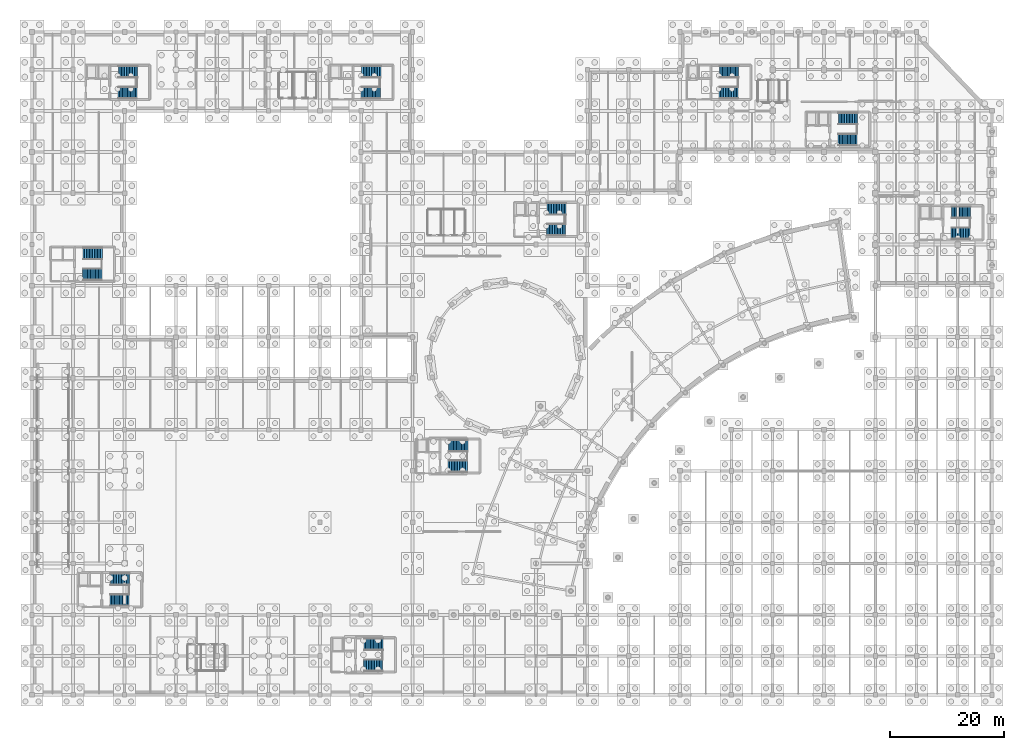
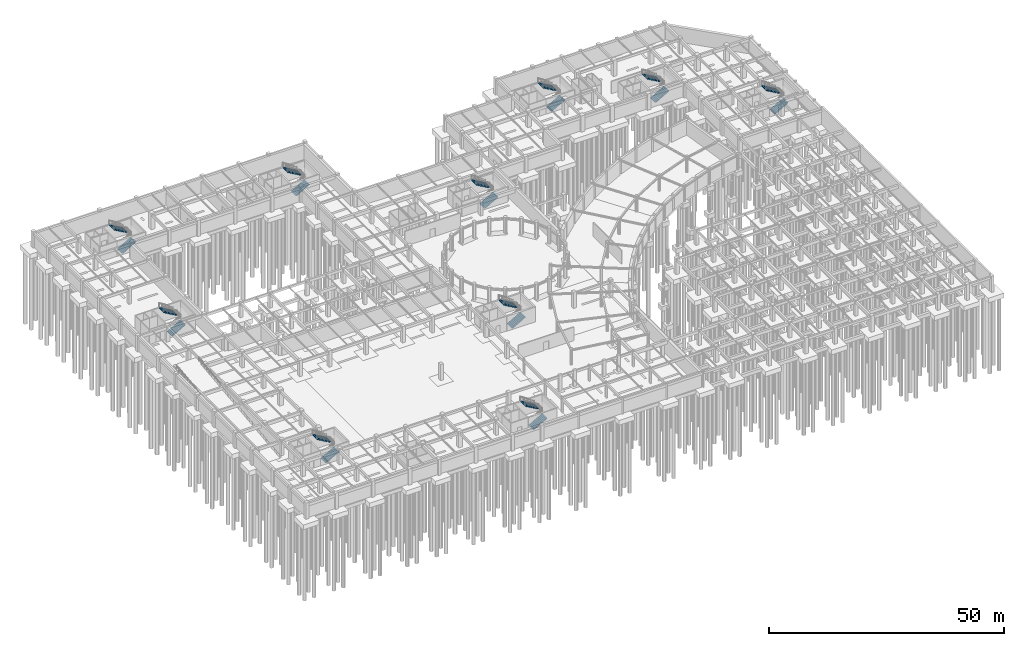
# One storey, part 38 of 42: 20 stair flights, 10 elements without a shape of their own.
"""IFC4 building model written with IfcOpenShell, lengths in metres."""

from ifc_helpers import new_model, si_unit, direction, frame, origin, place, context, subcontext, project, spatial, polyline, outline, extrude, material, type_object, element, aggregate, save


model = new_model("IFC4")

# Units and contexts
model_context = context("Model", 3, precision=1e-05, world=origin(), true_north=direction((0.0, 1.0)))
body_context = subcontext(model_context, "Body", "Model", "MODEL_VIEW")
ifc_project = project(units=[si_unit("LENGTHUNIT", "METRE"), si_unit("AREAUNIT", "SQUARE_METRE"), si_unit("VOLUMEUNIT", "CUBIC_METRE"), si_unit("PLANEANGLEUNIT", "RADIAN"), si_unit("MASSUNIT", "GRAM", prefix="KILO")], contexts=[model_context])

# Site, building, storey
site_placement = place(None, origin())
site = spatial("IfcSite", under=ifc_project, at=site_placement, CompositionType="ELEMENT")
building_placement = place(site_placement, origin())
building = spatial("IfcBuilding", under=site, at=building_placement, Name="Clarverna Civic Hall", CompositionType="ELEMENT")
storey_placement = place(building_placement, frame((0.0, 0.0, -4.199951171875)))
storey = spatial("IfcBuildingStorey", under=building, at=storey_placement, Name="B01", CompositionType="ELEMENT", Elevation=-4.199951171875)

# Stair, stair flights
ifc_material = material(Name="Concrete C30/37", Category="concrete")
stair_type_1 = type_object("IfcStairType", Name="ST-H1", PredefinedType="HALF_TURN_STAIR", material=ifc_material)
stair_1_placement = place(storey_placement, origin())
stair_1 = element("IfcStair", 1, at=stair_1_placement, inside=storey, type_object=stair_type_1, Name="ST-H1:B01:0001", PredefinedType="HALF_TURN_STAIR")
stair_flight_type_1 = type_object("IfcStairFlightType", Name="SF-02", PredefinedType="STRAIGHT", material=ifc_material)
stair_flight_1_placement = place(storey_placement, frame((141.010009765625, 97.179931640625, 0.0), z_axis=(0.0, 0.0, 1.0), x_axis=(1.0, 0.0, 0.0)))
stair_flight_1 = element("IfcStairFlight", 2, at=stair_flight_1_placement, type_object=stair_flight_type_1, Name="SF-02:B01:0001", NumberOfRisers=13, NumberOfTreads=12, PredefinedType="STRAIGHT", RiserHeight=0.161538, TreadLength=0.28, context=body_context, shape_type="SweptSolid", body=[
    extrude(outline(polyline([(0.0, 0.0), (0.0, 0.16162109375), (0.280029296875, 0.16162109375), (0.280029296875, 0.322998046875), (0.56005859375, 0.322998046875), (0.56005859375, 0.484619140625), (0.840087890625, 0.484619140625), (0.840087890625, 0.646240234375), (1.1201171875, 0.646240234375), (1.1201171875, 0.8076171875), (1.39990234375, 0.8076171875), (1.39990234375, 0.96923828125), (1.679931640625, 0.96923828125), (1.679931640625, 1.130859375), (1.9599609375, 1.130859375), (1.9599609375, 1.292236328125), (2.239990234375, 1.292236328125), (2.239990234375, 1.453857421875), (2.52001953125, 1.453857421875), (2.52001953125, 1.615478515625), (2.800048828125, 1.615478515625), (2.800048828125, 1.77685546875), (3.080078125, 1.77685546875), (3.080078125, 1.9384765625), (3.360107421875, 1.9384765625), (3.360107421875, 2.10009765625), (3.360107421875, 1.730712890625), (0.360107421875, 0.0), (0.0, 0.0)])), frame((0.0, 1.02001953125, 0.0), z_axis=(0.0, -1.0, 0.0), x_axis=(1.0, 0.0, 0.0)), (0.0, 0.0, 1.0), 2.0400390625),
])
stair_flight_2_placement = place(storey_placement, frame((144.4599609375, 100.820068359375, 2.099853515625), z_axis=(0.0, 0.0, 1.0), x_axis=(-1.0, 0.0, 0.0)))
stair_flight_2 = element("IfcStairFlight", 3, at=stair_flight_2_placement, type_object=stair_flight_type_1, Name="SF-02:B01:0002", NumberOfRisers=13, NumberOfTreads=12, PredefinedType="STRAIGHT", RiserHeight=0.161538, TreadLength=0.28, context=body_context, shape_type="SweptSolid", body=[
    extrude(outline(polyline([(0.0, 0.0), (0.0, 0.16162109375), (0.280029296875, 0.16162109375), (0.280029296875, 0.322998046875), (0.56005859375, 0.322998046875), (0.56005859375, 0.484619140625), (0.840087890625, 0.484619140625), (0.840087890625, 0.646240234375), (1.1201171875, 0.646240234375), (1.1201171875, 0.8076171875), (1.39990234375, 0.8076171875), (1.39990234375, 0.96923828125), (1.679931640625, 0.96923828125), (1.679931640625, 1.130859375), (1.9599609375, 1.130859375), (1.9599609375, 1.292236328125), (2.239990234375, 1.292236328125), (2.239990234375, 1.453857421875), (2.52001953125, 1.453857421875), (2.52001953125, 1.615478515625), (2.800048828125, 1.615478515625), (2.800048828125, 1.77685546875), (3.080078125, 1.77685546875), (3.080078125, 1.9384765625), (3.360107421875, 1.9384765625), (3.360107421875, 2.10009765625), (3.360107421875, 1.730712890625), (0.360107421875, 0.0), (0.0, 0.0)])), frame((0.0, 1.02001953125, 0.0), z_axis=(0.0, -1.0, 0.0), x_axis=(1.0, 0.0, 0.0)), (0.0, 0.0, 1.0), 2.0400390625),
])
aggregate(stair_1, [stair_flight_1, stair_flight_2])

stair_2_placement = place(storey_placement, origin())
stair_2 = element("IfcStair", 4, at=stair_2_placement, inside=storey, type_object=stair_type_1, Name="ST-H1:B01:0007", PredefinedType="HALF_TURN_STAIR")
stair_flight_3_placement = place(storey_placement, frame((160.81005859375, 80.780029296875, 0.0), z_axis=(0.0, 0.0, 1.0), x_axis=(1.0, 0.0, 0.0)))
stair_flight_3 = element("IfcStairFlight", 5, at=stair_flight_3_placement, type_object=stair_flight_type_1, Name="SF-02:B01:0013", NumberOfRisers=13, NumberOfTreads=12, PredefinedType="STRAIGHT", RiserHeight=0.161538, TreadLength=0.28, context=body_context, shape_type="SweptSolid", body=[
    extrude(outline(polyline([(0.0, 0.0), (0.0, 0.16162109375), (0.280029296875, 0.16162109375), (0.280029296875, 0.322998046875), (0.56005859375, 0.322998046875), (0.56005859375, 0.484619140625), (0.840087890625, 0.484619140625), (0.840087890625, 0.646240234375), (1.1201171875, 0.646240234375), (1.1201171875, 0.8076171875), (1.39990234375, 0.8076171875), (1.39990234375, 0.96923828125), (1.679931640625, 0.96923828125), (1.679931640625, 1.130859375), (1.9599609375, 1.130859375), (1.9599609375, 1.292236328125), (2.239990234375, 1.292236328125), (2.239990234375, 1.453857421875), (2.52001953125, 1.453857421875), (2.52001953125, 1.615478515625), (2.800048828125, 1.615478515625), (2.800048828125, 1.77685546875), (3.080078125, 1.77685546875), (3.080078125, 1.9384765625), (3.360107421875, 1.9384765625), (3.360107421875, 2.10009765625), (3.360107421875, 1.730712890625), (0.360107421875, 0.0), (0.0, 0.0)])), frame((0.0, 1.02001953125, 0.0), z_axis=(0.0, -1.0, 0.0), x_axis=(1.0, 0.0, 0.0)), (0.0, 0.0, 1.0), 2.0400390625),
])
stair_flight_4_placement = place(storey_placement, frame((164.260009765625, 84.419921875, 2.099853515625), z_axis=(0.0, 0.0, 1.0), x_axis=(-1.0, 0.0, 0.0)))
stair_flight_4 = element("IfcStairFlight", 6, at=stair_flight_4_placement, type_object=stair_flight_type_1, Name="SF-02:B01:0014", NumberOfRisers=13, NumberOfTreads=12, PredefinedType="STRAIGHT", RiserHeight=0.161538, TreadLength=0.28, context=body_context, shape_type="SweptSolid", body=[
    extrude(outline(polyline([(0.0, 0.0), (0.0, 0.16162109375), (0.280029296875, 0.16162109375), (0.280029296875, 0.322998046875), (0.56005859375, 0.322998046875), (0.56005859375, 0.484619140625), (0.840087890625, 0.484619140625), (0.840087890625, 0.646240234375), (1.1201171875, 0.646240234375), (1.1201171875, 0.8076171875), (1.39990234375, 0.8076171875), (1.39990234375, 0.96923828125), (1.679931640625, 0.96923828125), (1.679931640625, 1.130859375), (1.9599609375, 1.130859375), (1.9599609375, 1.292236328125), (2.239990234375, 1.292236328125), (2.239990234375, 1.453857421875), (2.52001953125, 1.453857421875), (2.52001953125, 1.615478515625), (2.800048828125, 1.615478515625), (2.800048828125, 1.77685546875), (3.080078125, 1.77685546875), (3.080078125, 1.9384765625), (3.360107421875, 1.9384765625), (3.360107421875, 2.10009765625), (3.360107421875, 1.730712890625), (0.360107421875, 0.0), (0.0, 0.0)])), frame((0.0, 1.02001953125, 0.0), z_axis=(0.0, -1.0, 0.0), x_axis=(1.0, 0.0, 0.0)), (0.0, 0.0, 1.0), 2.0400390625),
])
aggregate(stair_2, [stair_flight_3, stair_flight_4])

stair_3_placement = place(storey_placement, origin())
stair_3 = element("IfcStair", 7, at=stair_3_placement, inside=storey, type_object=stair_type_1, Name="ST-H1:B01:0014", PredefinedType="HALF_TURN_STAIR")
stair_flight_5_placement = place(storey_placement, frame((15.010009765625, 105.3798828125, 0.0), z_axis=(0.0, 0.0, 1.0), x_axis=(1.0, 0.0, 0.0)))
stair_flight_5 = element("IfcStairFlight", 8, at=stair_flight_5_placement, type_object=stair_flight_type_1, Name="SF-02:B01:0025", NumberOfRisers=13, NumberOfTreads=12, PredefinedType="STRAIGHT", RiserHeight=0.161538, TreadLength=0.28, context=body_context, shape_type="SweptSolid", body=[
    extrude(outline(polyline([(0.0, 0.0), (0.0, 0.16162109375), (0.280029296875, 0.16162109375), (0.280029296875, 0.322998046875), (0.56005859375, 0.322998046875), (0.56005859375, 0.484619140625), (0.840087890625, 0.484619140625), (0.840087890625, 0.646240234375), (1.1201171875, 0.646240234375), (1.1201171875, 0.8076171875), (1.39990234375, 0.8076171875), (1.39990234375, 0.96923828125), (1.679931640625, 0.96923828125), (1.679931640625, 1.130859375), (1.9599609375, 1.130859375), (1.9599609375, 1.292236328125), (2.239990234375, 1.292236328125), (2.239990234375, 1.453857421875), (2.52001953125, 1.453857421875), (2.52001953125, 1.615478515625), (2.800048828125, 1.615478515625), (2.800048828125, 1.77685546875), (3.080078125, 1.77685546875), (3.080078125, 1.9384765625), (3.360107421875, 1.9384765625), (3.360107421875, 2.10009765625), (3.360107421875, 1.730712890625), (0.360107421875, 0.0), (0.0, 0.0)])), frame((0.0, 1.02001953125, 0.0), z_axis=(0.0, -1.0, 0.0), x_axis=(1.0, 0.0, 0.0)), (0.0, 0.0, 1.0), 2.0400390625),
])
stair_flight_6_placement = place(storey_placement, frame((18.4599609375, 109.02001953125, 2.099853515625), z_axis=(0.0, 0.0, 1.0), x_axis=(-1.0, 0.0, 0.0)))
stair_flight_6 = element("IfcStairFlight", 9, at=stair_flight_6_placement, type_object=stair_flight_type_1, Name="SF-02:B01:0026", NumberOfRisers=13, NumberOfTreads=12, PredefinedType="STRAIGHT", RiserHeight=0.161538, TreadLength=0.28, context=body_context, shape_type="SweptSolid", body=[
    extrude(outline(polyline([(0.0, 0.0), (0.0, 0.16162109375), (0.280029296875, 0.16162109375), (0.280029296875, 0.322998046875), (0.56005859375, 0.322998046875), (0.56005859375, 0.484619140625), (0.840087890625, 0.484619140625), (0.840087890625, 0.646240234375), (1.1201171875, 0.646240234375), (1.1201171875, 0.8076171875), (1.39990234375, 0.8076171875), (1.39990234375, 0.96923828125), (1.679931640625, 0.96923828125), (1.679931640625, 1.130859375), (1.9599609375, 1.130859375), (1.9599609375, 1.292236328125), (2.239990234375, 1.292236328125), (2.239990234375, 1.453857421875), (2.52001953125, 1.453857421875), (2.52001953125, 1.615478515625), (2.800048828125, 1.615478515625), (2.800048828125, 1.77685546875), (3.080078125, 1.77685546875), (3.080078125, 1.9384765625), (3.360107421875, 1.9384765625), (3.360107421875, 2.10009765625), (3.360107421875, 1.730712890625), (0.360107421875, 0.0), (0.0, 0.0)])), frame((0.0, 1.02001953125, 0.0), z_axis=(0.0, -1.0, 0.0), x_axis=(1.0, 0.0, 0.0)), (0.0, 0.0, 1.0), 2.0400390625),
])
aggregate(stair_3, [stair_flight_5, stair_flight_6])

stair_type_2 = type_object("IfcStairType", Name="ST-H2", PredefinedType="HALF_TURN_STAIR", material=ifc_material)
stair_4_placement = place(storey_placement, origin())
stair_4 = element("IfcStair", 10, at=stair_4_placement, inside=storey, type_object=stair_type_2, Name="ST-H2:B01:0004", PredefinedType="HALF_TURN_STAIR")
stair_flight_7_placement = place(storey_placement, frame((58.010009765625, 5.179931640625, 0.0), z_axis=(0.0, 0.0, 1.0), x_axis=(1.0, 0.0, 0.0)))
stair_flight_7 = element("IfcStairFlight", 11, at=stair_flight_7_placement, type_object=stair_flight_type_1, Name="SF-02:B01:0031", NumberOfRisers=13, NumberOfTreads=12, PredefinedType="STRAIGHT", RiserHeight=0.161538, TreadLength=0.28, context=body_context, shape_type="SweptSolid", body=[
    extrude(outline(polyline([(0.0, 0.0), (0.0, 0.16162109375), (0.280029296875, 0.16162109375), (0.280029296875, 0.322998046875), (0.56005859375, 0.322998046875), (0.56005859375, 0.484619140625), (0.840087890625, 0.484619140625), (0.840087890625, 0.646240234375), (1.1201171875, 0.646240234375), (1.1201171875, 0.8076171875), (1.39990234375, 0.8076171875), (1.39990234375, 0.96923828125), (1.679931640625, 0.96923828125), (1.679931640625, 1.130859375), (1.9599609375, 1.130859375), (1.9599609375, 1.292236328125), (2.239990234375, 1.292236328125), (2.239990234375, 1.453857421875), (2.52001953125, 1.453857421875), (2.52001953125, 1.615478515625), (2.800048828125, 1.615478515625), (2.800048828125, 1.77685546875), (3.080078125, 1.77685546875), (3.080078125, 1.9384765625), (3.360107421875, 1.9384765625), (3.360107421875, 2.10009765625), (3.360107421875, 1.730712890625), (0.360107421875, 0.0), (0.0, 0.0)])), frame((0.0, 1.02001953125, 0.0), z_axis=(0.0, -1.0, 0.0), x_axis=(1.0, 0.0, 0.0)), (0.0, 0.0, 1.0), 2.0400390625),
])
stair_flight_8_placement = place(storey_placement, frame((61.4599609375, 8.820068359375, 2.099853515625), z_axis=(0.0, 0.0, 1.0), x_axis=(-1.0, 0.0, 0.0)))
stair_flight_8 = element("IfcStairFlight", 12, at=stair_flight_8_placement, type_object=stair_flight_type_1, Name="SF-02:B01:0032", NumberOfRisers=13, NumberOfTreads=12, PredefinedType="STRAIGHT", RiserHeight=0.161538, TreadLength=0.28, context=body_context, shape_type="SweptSolid", body=[
    extrude(outline(polyline([(0.0, 0.0), (0.0, 0.16162109375), (0.280029296875, 0.16162109375), (0.280029296875, 0.322998046875), (0.56005859375, 0.322998046875), (0.56005859375, 0.484619140625), (0.840087890625, 0.484619140625), (0.840087890625, 0.646240234375), (1.1201171875, 0.646240234375), (1.1201171875, 0.8076171875), (1.39990234375, 0.8076171875), (1.39990234375, 0.96923828125), (1.679931640625, 0.96923828125), (1.679931640625, 1.130859375), (1.9599609375, 1.130859375), (1.9599609375, 1.292236328125), (2.239990234375, 1.292236328125), (2.239990234375, 1.453857421875), (2.52001953125, 1.453857421875), (2.52001953125, 1.615478515625), (2.800048828125, 1.615478515625), (2.800048828125, 1.77685546875), (3.080078125, 1.77685546875), (3.080078125, 1.9384765625), (3.360107421875, 1.9384765625), (3.360107421875, 2.10009765625), (3.360107421875, 1.730712890625), (0.360107421875, 0.0), (0.0, 0.0)])), frame((0.0, 1.02001953125, 0.0), z_axis=(0.0, -1.0, 0.0), x_axis=(1.0, 0.0, 0.0)), (0.0, 0.0, 1.0), 2.0400390625),
])
aggregate(stair_4, [stair_flight_7, stair_flight_8])

stair_5_placement = place(storey_placement, origin())
stair_5 = element("IfcStair", 13, at=stair_5_placement, inside=storey, type_object=stair_type_1, Name="ST-H1:B01:0017", PredefinedType="HALF_TURN_STAIR")
stair_flight_9_placement = place(storey_placement, frame((13.610107421875, 16.580078125, 0.0), z_axis=(0.0, 0.0, 1.0), x_axis=(1.0, 0.0, 0.0)))
stair_flight_9 = element("IfcStairFlight", 14, at=stair_flight_9_placement, type_object=stair_flight_type_1, Name="SF-02:B01:0035", NumberOfRisers=13, NumberOfTreads=12, PredefinedType="STRAIGHT", RiserHeight=0.161538, TreadLength=0.28, context=body_context, shape_type="SweptSolid", body=[
    extrude(outline(polyline([(0.0, 0.0), (0.0, 0.16162109375), (0.280029296875, 0.16162109375), (0.280029296875, 0.322998046875), (0.56005859375, 0.322998046875), (0.56005859375, 0.484619140625), (0.840087890625, 0.484619140625), (0.840087890625, 0.646240234375), (1.1201171875, 0.646240234375), (1.1201171875, 0.8076171875), (1.39990234375, 0.8076171875), (1.39990234375, 0.96923828125), (1.679931640625, 0.96923828125), (1.679931640625, 1.130859375), (1.9599609375, 1.130859375), (1.9599609375, 1.292236328125), (2.239990234375, 1.292236328125), (2.239990234375, 1.453857421875), (2.52001953125, 1.453857421875), (2.52001953125, 1.615478515625), (2.800048828125, 1.615478515625), (2.800048828125, 1.77685546875), (3.080078125, 1.77685546875), (3.080078125, 1.9384765625), (3.360107421875, 1.9384765625), (3.360107421875, 2.10009765625), (3.360107421875, 1.730712890625), (0.360107421875, 0.0), (0.0, 0.0)])), frame((0.0, 1.02001953125, 0.0), z_axis=(0.0, -1.0, 0.0), x_axis=(1.0, 0.0, 0.0)), (0.0, 0.0, 1.0), 2.0400390625),
])
stair_flight_10_placement = place(storey_placement, frame((17.06005859375, 20.219970703125, 2.099853515625), z_axis=(0.0, 0.0, 1.0), x_axis=(-1.0, 0.0, 0.0)))
stair_flight_10 = element("IfcStairFlight", 15, at=stair_flight_10_placement, type_object=stair_flight_type_1, Name="SF-02:B01:0036", NumberOfRisers=13, NumberOfTreads=12, PredefinedType="STRAIGHT", RiserHeight=0.161538, TreadLength=0.28, context=body_context, shape_type="SweptSolid", body=[
    extrude(outline(polyline([(0.0, 0.0), (0.0, 0.16162109375), (0.280029296875, 0.16162109375), (0.280029296875, 0.322998046875), (0.56005859375, 0.322998046875), (0.56005859375, 0.484619140625), (0.840087890625, 0.484619140625), (0.840087890625, 0.646240234375), (1.1201171875, 0.646240234375), (1.1201171875, 0.8076171875), (1.39990234375, 0.8076171875), (1.39990234375, 0.96923828125), (1.679931640625, 0.96923828125), (1.679931640625, 1.130859375), (1.9599609375, 1.130859375), (1.9599609375, 1.292236328125), (2.239990234375, 1.292236328125), (2.239990234375, 1.453857421875), (2.52001953125, 1.453857421875), (2.52001953125, 1.615478515625), (2.800048828125, 1.615478515625), (2.800048828125, 1.77685546875), (3.080078125, 1.77685546875), (3.080078125, 1.9384765625), (3.360107421875, 1.9384765625), (3.360107421875, 2.10009765625), (3.360107421875, 1.730712890625), (0.360107421875, 0.0), (0.0, 0.0)])), frame((0.0, 1.02001953125, 0.0), z_axis=(0.0, -1.0, 0.0), x_axis=(1.0, 0.0, 0.0)), (0.0, 0.0, 1.0), 2.0400390625),
])
aggregate(stair_5, [stair_flight_9, stair_flight_10])

stair_6_placement = place(storey_placement, origin())
stair_6 = element("IfcStair", 16, at=stair_6_placement, inside=storey, type_object=stair_type_1, Name="ST-H1:B01:0019", PredefinedType="HALF_TURN_STAIR")
stair_flight_11_placement = place(storey_placement, frame((120.2099609375, 105.3798828125, 0.0), z_axis=(0.0, 0.0, 1.0), x_axis=(1.0, 0.0, 0.0)))
stair_flight_11 = element("IfcStairFlight", 17, at=stair_flight_11_placement, type_object=stair_flight_type_1, Name="SF-02:B01:0039", NumberOfRisers=13, NumberOfTreads=12, PredefinedType="STRAIGHT", RiserHeight=0.161538, TreadLength=0.28, context=body_context, shape_type="SweptSolid", body=[
    extrude(outline(polyline([(0.0, 0.0), (0.0, 0.16162109375), (0.280029296875, 0.16162109375), (0.280029296875, 0.322998046875), (0.56005859375, 0.322998046875), (0.56005859375, 0.484619140625), (0.840087890625, 0.484619140625), (0.840087890625, 0.646240234375), (1.1201171875, 0.646240234375), (1.1201171875, 0.8076171875), (1.39990234375, 0.8076171875), (1.39990234375, 0.96923828125), (1.679931640625, 0.96923828125), (1.679931640625, 1.130859375), (1.9599609375, 1.130859375), (1.9599609375, 1.292236328125), (2.239990234375, 1.292236328125), (2.239990234375, 1.453857421875), (2.52001953125, 1.453857421875), (2.52001953125, 1.615478515625), (2.800048828125, 1.615478515625), (2.800048828125, 1.77685546875), (3.080078125, 1.77685546875), (3.080078125, 1.9384765625), (3.360107421875, 1.9384765625), (3.360107421875, 2.10009765625), (3.360107421875, 1.730712890625), (0.360107421875, 0.0), (0.0, 0.0)])), frame((0.0, 1.02001953125, 0.0), z_axis=(0.0, -1.0, 0.0), x_axis=(1.0, 0.0, 0.0)), (0.0, 0.0, 1.0), 2.0400390625),
])
stair_flight_12_placement = place(storey_placement, frame((123.659912109375, 109.02001953125, 2.099853515625), z_axis=(0.0, 0.0, 1.0), x_axis=(-1.0, 0.0, 0.0)))
stair_flight_12 = element("IfcStairFlight", 18, at=stair_flight_12_placement, type_object=stair_flight_type_1, Name="SF-02:B01:0040", NumberOfRisers=13, NumberOfTreads=12, PredefinedType="STRAIGHT", RiserHeight=0.161538, TreadLength=0.28, context=body_context, shape_type="SweptSolid", body=[
    extrude(outline(polyline([(0.0, 0.0), (0.0, 0.16162109375), (0.280029296875, 0.16162109375), (0.280029296875, 0.322998046875), (0.56005859375, 0.322998046875), (0.56005859375, 0.484619140625), (0.840087890625, 0.484619140625), (0.840087890625, 0.646240234375), (1.1201171875, 0.646240234375), (1.1201171875, 0.8076171875), (1.39990234375, 0.8076171875), (1.39990234375, 0.96923828125), (1.679931640625, 0.96923828125), (1.679931640625, 1.130859375), (1.9599609375, 1.130859375), (1.9599609375, 1.292236328125), (2.239990234375, 1.292236328125), (2.239990234375, 1.453857421875), (2.52001953125, 1.453857421875), (2.52001953125, 1.615478515625), (2.800048828125, 1.615478515625), (2.800048828125, 1.77685546875), (3.080078125, 1.77685546875), (3.080078125, 1.9384765625), (3.360107421875, 1.9384765625), (3.360107421875, 2.10009765625), (3.360107421875, 1.730712890625), (0.360107421875, 0.0), (0.0, 0.0)])), frame((0.0, 1.02001953125, 0.0), z_axis=(0.0, -1.0, 0.0), x_axis=(1.0, 0.0, 0.0)), (0.0, 0.0, 1.0), 2.0400390625),
])
aggregate(stair_6, [stair_flight_11, stair_flight_12])

stair_7_placement = place(storey_placement, origin())
stair_7 = element("IfcStair", 19, at=stair_7_placement, inside=storey, type_object=stair_type_1, Name="ST-H1:B01:0023", PredefinedType="HALF_TURN_STAIR")
stair_flight_13_placement = place(storey_placement, frame((57.610107421875, 105.3798828125, 0.0), z_axis=(0.0, 0.0, 1.0), x_axis=(1.0, 0.0, 0.0)))
stair_flight_13 = element("IfcStairFlight", 20, at=stair_flight_13_placement, type_object=stair_flight_type_1, Name="SF-02:B01:0047", NumberOfRisers=13, NumberOfTreads=12, PredefinedType="STRAIGHT", RiserHeight=0.161538, TreadLength=0.28, context=body_context, shape_type="SweptSolid", body=[
    extrude(outline(polyline([(0.0, 0.0), (0.0, 0.16162109375), (0.280029296875, 0.16162109375), (0.280029296875, 0.322998046875), (0.56005859375, 0.322998046875), (0.56005859375, 0.484619140625), (0.840087890625, 0.484619140625), (0.840087890625, 0.646240234375), (1.1201171875, 0.646240234375), (1.1201171875, 0.8076171875), (1.39990234375, 0.8076171875), (1.39990234375, 0.96923828125), (1.679931640625, 0.96923828125), (1.679931640625, 1.130859375), (1.9599609375, 1.130859375), (1.9599609375, 1.292236328125), (2.239990234375, 1.292236328125), (2.239990234375, 1.453857421875), (2.52001953125, 1.453857421875), (2.52001953125, 1.615478515625), (2.800048828125, 1.615478515625), (2.800048828125, 1.77685546875), (3.080078125, 1.77685546875), (3.080078125, 1.9384765625), (3.360107421875, 1.9384765625), (3.360107421875, 2.10009765625), (3.360107421875, 1.730712890625), (0.360107421875, 0.0), (0.0, 0.0)])), frame((0.0, 1.02001953125, 0.0), z_axis=(0.0, -1.0, 0.0), x_axis=(1.0, 0.0, 0.0)), (0.0, 0.0, 1.0), 2.0400390625),
])
stair_flight_14_placement = place(storey_placement, frame((61.06005859375, 109.02001953125, 2.099853515625), z_axis=(0.0, 0.0, 1.0), x_axis=(-1.0, 0.0, 0.0)))
stair_flight_14 = element("IfcStairFlight", 21, at=stair_flight_14_placement, type_object=stair_flight_type_1, Name="SF-02:B01:0048", NumberOfRisers=13, NumberOfTreads=12, PredefinedType="STRAIGHT", RiserHeight=0.161538, TreadLength=0.28, context=body_context, shape_type="SweptSolid", body=[
    extrude(outline(polyline([(0.0, 0.0), (0.0, 0.16162109375), (0.280029296875, 0.16162109375), (0.280029296875, 0.322998046875), (0.56005859375, 0.322998046875), (0.56005859375, 0.484619140625), (0.840087890625, 0.484619140625), (0.840087890625, 0.646240234375), (1.1201171875, 0.646240234375), (1.1201171875, 0.8076171875), (1.39990234375, 0.8076171875), (1.39990234375, 0.96923828125), (1.679931640625, 0.96923828125), (1.679931640625, 1.130859375), (1.9599609375, 1.130859375), (1.9599609375, 1.292236328125), (2.239990234375, 1.292236328125), (2.239990234375, 1.453857421875), (2.52001953125, 1.453857421875), (2.52001953125, 1.615478515625), (2.800048828125, 1.615478515625), (2.800048828125, 1.77685546875), (3.080078125, 1.77685546875), (3.080078125, 1.9384765625), (3.360107421875, 1.9384765625), (3.360107421875, 2.10009765625), (3.360107421875, 1.730712890625), (0.360107421875, 0.0), (0.0, 0.0)])), frame((0.0, 1.02001953125, 0.0), z_axis=(0.0, -1.0, 0.0), x_axis=(1.0, 0.0, 0.0)), (0.0, 0.0, 1.0), 2.0400390625),
])
aggregate(stair_7, [stair_flight_13, stair_flight_14])

stair_8_placement = place(storey_placement, origin())
stair_8 = element("IfcStair", 22, at=stair_8_placement, inside=storey, type_object=stair_type_1, Name="ST-H1:B01:0026", PredefinedType="HALF_TURN_STAIR")
stair_flight_15_placement = place(storey_placement, frame((8.860107421875, 73.580078125, 0.0), z_axis=(0.0, 0.0, 1.0), x_axis=(1.0, 0.0, 0.0)))
stair_flight_15 = element("IfcStairFlight", 23, at=stair_flight_15_placement, type_object=stair_flight_type_1, Name="SF-02:B01:0053", NumberOfRisers=13, NumberOfTreads=12, PredefinedType="STRAIGHT", RiserHeight=0.161538, TreadLength=0.28, context=body_context, shape_type="SweptSolid", body=[
    extrude(outline(polyline([(0.0, 0.0), (0.0, 0.16162109375), (0.280029296875, 0.16162109375), (0.280029296875, 0.322998046875), (0.56005859375, 0.322998046875), (0.56005859375, 0.484619140625), (0.840087890625, 0.484619140625), (0.840087890625, 0.646240234375), (1.1201171875, 0.646240234375), (1.1201171875, 0.8076171875), (1.39990234375, 0.8076171875), (1.39990234375, 0.96923828125), (1.679931640625, 0.96923828125), (1.679931640625, 1.130859375), (1.9599609375, 1.130859375), (1.9599609375, 1.292236328125), (2.239990234375, 1.292236328125), (2.239990234375, 1.453857421875), (2.52001953125, 1.453857421875), (2.52001953125, 1.615478515625), (2.800048828125, 1.615478515625), (2.800048828125, 1.77685546875), (3.080078125, 1.77685546875), (3.080078125, 1.9384765625), (3.360107421875, 1.9384765625), (3.360107421875, 2.10009765625), (3.360107421875, 1.730712890625), (0.360107421875, 0.0), (0.0, 0.0)])), frame((0.0, 1.02001953125, 0.0), z_axis=(0.0, -1.0, 0.0), x_axis=(1.0, 0.0, 0.0)), (0.0, 0.0, 1.0), 2.0400390625),
])
stair_flight_16_placement = place(storey_placement, frame((12.31005859375, 77.219970703125, 2.099853515625), z_axis=(0.0, 0.0, 1.0), x_axis=(-1.0, 0.0, 0.0)))
stair_flight_16 = element("IfcStairFlight", 24, at=stair_flight_16_placement, type_object=stair_flight_type_1, Name="SF-02:B01:0054", NumberOfRisers=13, NumberOfTreads=12, PredefinedType="STRAIGHT", RiserHeight=0.161538, TreadLength=0.28, context=body_context, shape_type="SweptSolid", body=[
    extrude(outline(polyline([(0.0, 0.0), (0.0, 0.16162109375), (0.280029296875, 0.16162109375), (0.280029296875, 0.322998046875), (0.56005859375, 0.322998046875), (0.56005859375, 0.484619140625), (0.840087890625, 0.484619140625), (0.840087890625, 0.646240234375), (1.1201171875, 0.646240234375), (1.1201171875, 0.8076171875), (1.39990234375, 0.8076171875), (1.39990234375, 0.96923828125), (1.679931640625, 0.96923828125), (1.679931640625, 1.130859375), (1.9599609375, 1.130859375), (1.9599609375, 1.292236328125), (2.239990234375, 1.292236328125), (2.239990234375, 1.453857421875), (2.52001953125, 1.453857421875), (2.52001953125, 1.615478515625), (2.800048828125, 1.615478515625), (2.800048828125, 1.77685546875), (3.080078125, 1.77685546875), (3.080078125, 1.9384765625), (3.360107421875, 1.9384765625), (3.360107421875, 2.10009765625), (3.360107421875, 1.730712890625), (0.360107421875, 0.0), (0.0, 0.0)])), frame((0.0, 1.02001953125, 0.0), z_axis=(0.0, -1.0, 0.0), x_axis=(1.0, 0.0, 0.0)), (0.0, 0.0, 1.0), 2.0400390625),
])
aggregate(stair_8, [stair_flight_15, stair_flight_16])

stair_9_placement = place(storey_placement, origin())
stair_9 = element("IfcStair", 25, at=stair_9_placement, inside=storey, type_object=stair_type_2, Name="ST-H2:B01:0001", PredefinedType="HALF_TURN_STAIR")
stair_flight_type_2 = type_object("IfcStairFlightType", Name="SF-03", PredefinedType="STRAIGHT", material=ifc_material)
stair_flight_17_placement = place(storey_placement, frame((90.010009765625, 81.39990234375, 0.0), z_axis=(0.0, 0.0, 1.0), x_axis=(1.0, 0.0, 0.0)))
stair_flight_17 = element("IfcStairFlight", 26, at=stair_flight_17_placement, type_object=stair_flight_type_2, Name="SF-03:B01:0001", NumberOfRisers=13, NumberOfTreads=12, PredefinedType="STRAIGHT", RiserHeight=0.161538, TreadLength=0.28, context=body_context, shape_type="SweptSolid", body=[
    extrude(outline(polyline([(0.0, 0.0), (0.0, 0.16162109375), (0.280029296875, 0.16162109375), (0.280029296875, 0.322998046875), (0.56005859375, 0.322998046875), (0.56005859375, 0.484619140625), (0.840087890625, 0.484619140625), (0.840087890625, 0.646240234375), (1.1201171875, 0.646240234375), (1.1201171875, 0.8076171875), (1.39990234375, 0.8076171875), (1.39990234375, 0.96923828125), (1.679931640625, 0.96923828125), (1.679931640625, 1.130859375), (1.9599609375, 1.130859375), (1.9599609375, 1.292236328125), (2.239990234375, 1.292236328125), (2.239990234375, 1.453857421875), (2.52001953125, 1.453857421875), (2.52001953125, 1.615478515625), (2.800048828125, 1.615478515625), (2.800048828125, 1.77685546875), (3.080078125, 1.77685546875), (3.080078125, 1.9384765625), (3.360107421875, 1.9384765625), (3.360107421875, 2.10009765625), (3.360107421875, 1.6845703125), (0.440185546875, 0.0), (0.0, 0.0)])), frame((0.0, 1.0400390625, 0.0), z_axis=(0.0, -1.0, 0.0), x_axis=(1.0, 0.0, 0.0)), (0.0, 0.0, 1.0), 2.080078125),
])
stair_flight_18_placement = place(storey_placement, frame((93.4599609375, 85.0, 2.099853515625), z_axis=(0.0, 0.0, 1.0), x_axis=(-1.0, 0.0, 0.0)))
stair_flight_18 = element("IfcStairFlight", 27, at=stair_flight_18_placement, type_object=stair_flight_type_2, Name="SF-03:B01:0002", NumberOfRisers=13, NumberOfTreads=12, PredefinedType="STRAIGHT", RiserHeight=0.161538, TreadLength=0.28, context=body_context, shape_type="SweptSolid", body=[
    extrude(outline(polyline([(0.0, 0.0), (0.0, 0.16162109375), (0.280029296875, 0.16162109375), (0.280029296875, 0.322998046875), (0.56005859375, 0.322998046875), (0.56005859375, 0.484619140625), (0.840087890625, 0.484619140625), (0.840087890625, 0.646240234375), (1.1201171875, 0.646240234375), (1.1201171875, 0.8076171875), (1.39990234375, 0.8076171875), (1.39990234375, 0.96923828125), (1.679931640625, 0.96923828125), (1.679931640625, 1.130859375), (1.9599609375, 1.130859375), (1.9599609375, 1.292236328125), (2.239990234375, 1.292236328125), (2.239990234375, 1.453857421875), (2.52001953125, 1.453857421875), (2.52001953125, 1.615478515625), (2.800048828125, 1.615478515625), (2.800048828125, 1.77685546875), (3.080078125, 1.77685546875), (3.080078125, 1.9384765625), (3.360107421875, 1.9384765625), (3.360107421875, 2.10009765625), (3.360107421875, 1.6845703125), (0.440185546875, 0.0), (0.0, 0.0)])), frame((0.0, 1.0400390625, 0.0), z_axis=(0.0, -1.0, 0.0), x_axis=(1.0, 0.0, 0.0)), (0.0, 0.0, 1.0), 2.080078125),
])
aggregate(stair_9, [stair_flight_17, stair_flight_18])

stair_10_placement = place(storey_placement, origin())
stair_10 = element("IfcStair", 28, at=stair_10_placement, inside=storey, type_object=stair_type_1, Name="ST-H1:B01:0013", PredefinedType="HALF_TURN_STAIR")
stair_flight_19_placement = place(storey_placement, frame((72.81005859375, 40.0, 0.0), z_axis=(0.0, 0.0, 1.0), x_axis=(1.0, 0.0, 0.0)))
stair_flight_19 = element("IfcStairFlight", 29, at=stair_flight_19_placement, type_object=stair_flight_type_2, Name="SF-03:B01:0007", NumberOfRisers=13, NumberOfTreads=12, PredefinedType="STRAIGHT", RiserHeight=0.161538, TreadLength=0.28, context=body_context, shape_type="SweptSolid", body=[
    extrude(outline(polyline([(0.0, 0.0), (0.0, 0.16162109375), (0.280029296875, 0.16162109375), (0.280029296875, 0.322998046875), (0.56005859375, 0.322998046875), (0.56005859375, 0.484619140625), (0.840087890625, 0.484619140625), (0.840087890625, 0.646240234375), (1.1201171875, 0.646240234375), (1.1201171875, 0.8076171875), (1.39990234375, 0.8076171875), (1.39990234375, 0.96923828125), (1.679931640625, 0.96923828125), (1.679931640625, 1.130859375), (1.9599609375, 1.130859375), (1.9599609375, 1.292236328125), (2.239990234375, 1.292236328125), (2.239990234375, 1.453857421875), (2.52001953125, 1.453857421875), (2.52001953125, 1.615478515625), (2.800048828125, 1.615478515625), (2.800048828125, 1.77685546875), (3.080078125, 1.77685546875), (3.080078125, 1.9384765625), (3.360107421875, 1.9384765625), (3.360107421875, 2.10009765625), (3.360107421875, 1.6845703125), (0.440185546875, 0.0), (0.0, 0.0)])), frame((0.0, 1.0400390625, 0.0), z_axis=(0.0, -1.0, 0.0), x_axis=(1.0, 0.0, 0.0)), (0.0, 0.0, 1.0), 2.080078125),
])
stair_flight_20_placement = place(storey_placement, frame((76.260009765625, 43.60009765625, 2.099853515625), z_axis=(0.0, 0.0, 1.0), x_axis=(-1.0, 0.0, 0.0)))
stair_flight_20 = element("IfcStairFlight", 30, at=stair_flight_20_placement, type_object=stair_flight_type_2, Name="SF-03:B01:0008", NumberOfRisers=13, NumberOfTreads=12, PredefinedType="STRAIGHT", RiserHeight=0.161538, TreadLength=0.28, context=body_context, shape_type="SweptSolid", body=[
    extrude(outline(polyline([(0.0, 0.0), (0.0, 0.16162109375), (0.280029296875, 0.16162109375), (0.280029296875, 0.322998046875), (0.56005859375, 0.322998046875), (0.56005859375, 0.484619140625), (0.840087890625, 0.484619140625), (0.840087890625, 0.646240234375), (1.1201171875, 0.646240234375), (1.1201171875, 0.8076171875), (1.39990234375, 0.8076171875), (1.39990234375, 0.96923828125), (1.679931640625, 0.96923828125), (1.679931640625, 1.130859375), (1.9599609375, 1.130859375), (1.9599609375, 1.292236328125), (2.239990234375, 1.292236328125), (2.239990234375, 1.453857421875), (2.52001953125, 1.453857421875), (2.52001953125, 1.615478515625), (2.800048828125, 1.615478515625), (2.800048828125, 1.77685546875), (3.080078125, 1.77685546875), (3.080078125, 1.9384765625), (3.360107421875, 1.9384765625), (3.360107421875, 2.10009765625), (3.360107421875, 1.6845703125), (0.440185546875, 0.0), (0.0, 0.0)])), frame((0.0, 1.0400390625, 0.0), z_axis=(0.0, -1.0, 0.0), x_axis=(1.0, 0.0, 0.0)), (0.0, 0.0, 1.0), 2.080078125),
])
aggregate(stair_10, [stair_flight_19, stair_flight_20])

save(model, "model.ifc")
